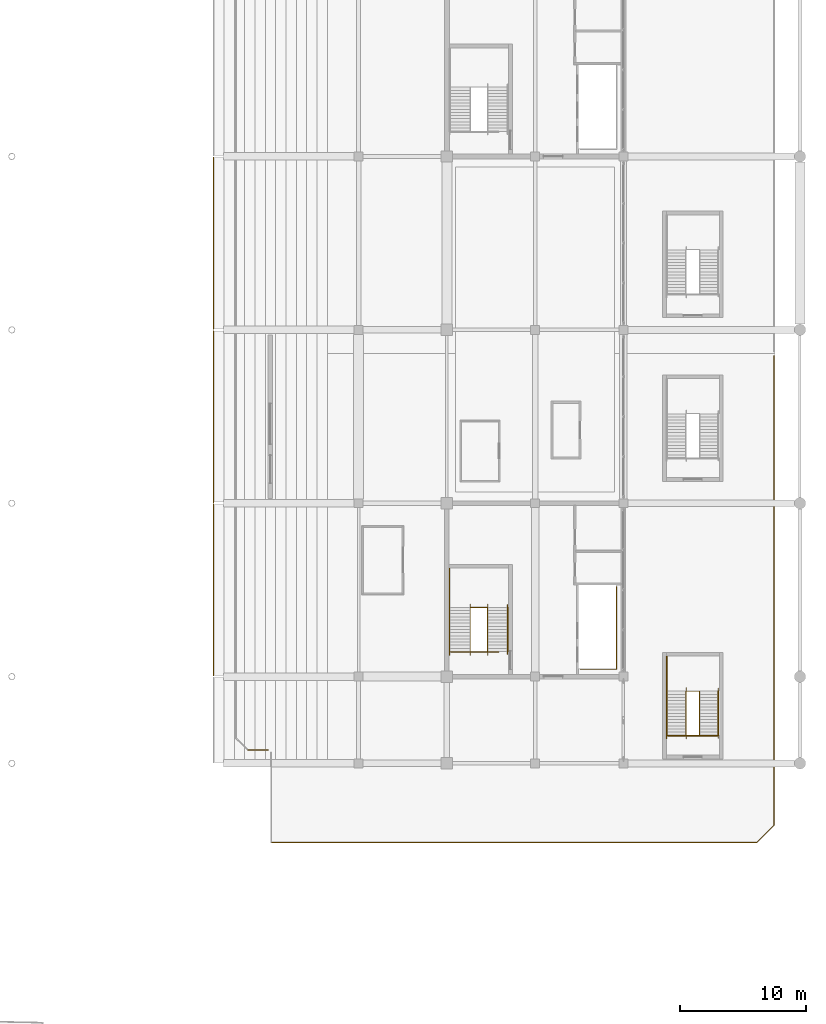
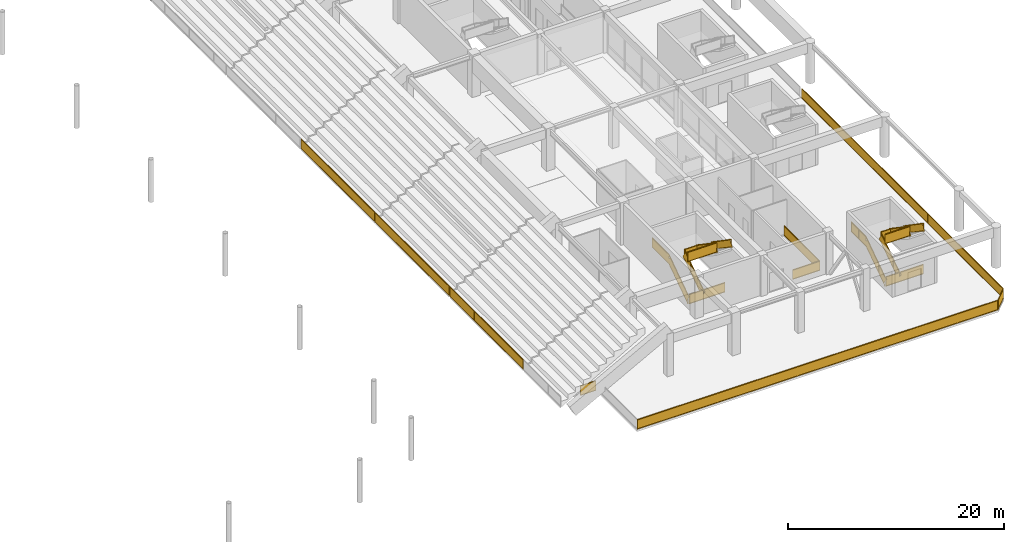
# One storey, part 86 of 94: 14 railings.
"""IFC4 building model written with IfcOpenShell, lengths in metres."""

import ifcopenshell
import ifcopenshell.guid

model = None  # the IFC model being written
_history = None  # IfcOwnerHistory: only IFC2X3 demands one
_inside = {}  # id of a spatial element -> (the spatial element, [elements in it])
_under = {}  # id of a project, library or spatial element -> (it, [spatial elements below it])
_declared = {}  # id of a project -> (the project, [libraries it declares])
_typed = {}  # id of a type object -> (the type object, [elements of that type])
_made_of = {}  # id of a material, layer set ... -> (it, [elements and type objects made of it])


def new_model(schema):
    """Start an empty IFC model of exactly this schema.

    Asked for "IFC4X3", IfcOpenShell would pick the latest addendum, in which some entities
    have other attributes; the version numbers below select the first issue.
    IFC2X3 requires an IfcOwnerHistory on every rooted entity: one is made here for all.
    """
    global model, _history
    if schema == "IFC4X3":
        model = ifcopenshell.file(schema_version=(4, 3, 0, 0))
    else:
        model = ifcopenshell.file(schema=schema)
    _inside.clear()
    _under.clear()
    _declared.clear()
    _typed.clear()
    _made_of.clear()
    _history = None
    if model.schema == "IFC2X3":
        org = make("IfcOrganization", Name="unknown")
        user = make(
            "IfcPersonAndOrganization",
            ThePerson=make("IfcPerson", FamilyName="unknown"),
            TheOrganization=org,
        )
        app = make(
            "IfcApplication",
            ApplicationDeveloper=org,
            Version="unknown",
            ApplicationFullName="unknown",
            ApplicationIdentifier="unknown",
        )
        _history = make(
            "IfcOwnerHistory",
            OwningUser=user,
            OwningApplication=app,
            ChangeAction="ADDED",
            CreationDate=0,
        )
    return model


def make(cls, **values):
    """One entity of the class cls with the attributes given. An attribute that is None is left unset."""
    return model.create_entity(
        cls, **{name: value for name, value in values.items() if value is not None}
    )


def rooted(cls, **values):
    """An entity with a GlobalId (a new one), such as an element, a storey or a relation."""
    return make(cls, GlobalId=ifcopenshell.guid.new(), OwnerHistory=_history, **values)


def si_unit(unit_type, name, prefix=None):
    """IfcSIUnit, for example si_unit("LENGTHUNIT", "METRE", prefix="MILLI")."""
    return make("IfcSIUnit", UnitType=unit_type, Prefix=prefix, Name=name)


def assignment(units):
    """IfcUnitAssignment: the units of a project."""
    return None if units is None else make("IfcUnitAssignment", Units=units)


def point(xyz):
    """IfcCartesianPoint."""
    return None if xyz is None else make("IfcCartesianPoint", Coordinates=xyz)


def direction(xyz):
    """IfcDirection."""
    return None if xyz is None else make("IfcDirection", DirectionRatios=xyz)


def frame(location, z_axis=None, x_axis=None):
    """IfcAxis2Placement3D, a coordinate frame: its origin and axes. An axis left out is left unset."""
    return make(
        "IfcAxis2Placement3D",
        Location=point(location),
        Axis=direction(z_axis),
        RefDirection=direction(x_axis),
    )


def frame_2d(location, x_axis=None):
    """IfcAxis2Placement2D, a coordinate frame in the plane: its origin and x axis."""
    return make(
        "IfcAxis2Placement2D", Location=point(location), RefDirection=direction(x_axis)
    )


def origin():
    """The frame at (0, 0, 0) with its axes left unset."""
    return frame((0.0, 0.0, 0.0))


def origin_2d():
    """The frame at (0, 0) in the plane with its x axis left unset."""
    return frame_2d((0.0, 0.0))


def place(relative_to, where):
    """IfcLocalPlacement: puts the frame where relative to a parent placement (None: the world)."""
    return make(
        "IfcLocalPlacement", PlacementRelTo=relative_to, RelativePlacement=where
    )


def context(
    kind, dimensions, precision=None, world=None, true_north=None, identifier=None
):
    """IfcGeometricRepresentationContext, for example the 3D "Model" context."""
    return make(
        "IfcGeometricRepresentationContext",
        ContextIdentifier=identifier,
        ContextType=kind,
        CoordinateSpaceDimension=dimensions,
        Precision=precision,
        WorldCoordinateSystem=world,
        TrueNorth=true_north,
    )


def subcontext(parent, identifier, kind, view, scale=None):
    """IfcGeometricRepresentationSubContext, for example "Body" below "Model"."""
    return make(
        "IfcGeometricRepresentationSubContext",
        ContextIdentifier=identifier,
        ContextType=kind,
        ParentContext=parent,
        TargetScale=scale,
        TargetView=view,
    )


def project(units=None, contexts=None):
    """IfcProject with its units and contexts."""
    return rooted(
        "IfcProject",
        Name="project",
        RepresentationContexts=contexts,
        UnitsInContext=assignment(units),
    )


def spatial(cls, under=None, at=None, **own):
    """A site, building, storey or space (cls), placed at a placement, below another one or the project."""
    s = rooted(cls, ObjectPlacement=at, **own)
    if under is not None:
        _under.setdefault(under.id(), (under, []))[1].append(s)
    return s


def profile(cls, at=None, kind="AREA", **sizes):
    """A parametric profile (cls). Its sizes go by their IFC names, for example OverallWidth=200.0."""
    return make(cls, ProfileType=kind, Position=at, **sizes)


def rectangle(**sizes):
    """IfcRectangleProfileDef."""
    return profile("IfcRectangleProfileDef", **sizes)


def extrude(swept, where, along, depth):
    """IfcExtrudedAreaSolid: the profile swept, set in the frame where, extruded along a direction by depth."""
    return make(
        "IfcExtrudedAreaSolid",
        SweptArea=swept,
        Position=where,
        ExtrudedDirection=direction(along),
        Depth=depth,
    )


def shape(context_of_items, identifier, shape_type, items):
    """IfcShapeRepresentation: the items that make up one representation, for example the "Body"."""
    return make(
        "IfcShapeRepresentation",
        ContextOfItems=context_of_items,
        RepresentationIdentifier=identifier,
        RepresentationType=shape_type,
        Items=items,
    )


def material(Name=None, Category=None):
    """IfcMaterial."""
    return make("IfcMaterial", Name=Name, Category=Category)


def made_of(thing, what):
    """Note that an element or type object is made of a material, layer set ...; save() writes the relation."""
    if what is not None:
        _made_of.setdefault(what.id(), (what, []))[1].append(thing)
    return thing


def type_object(cls, material=None, **own):
    """A type object (cls), such as IfcWallType, which elements share."""
    return made_of(rooted(cls, **own), material)


def element(
    cls,
    number,
    at=None,
    inside=None,
    cuts=None,
    type_object=None,
    material=None,
    context=None,
    identifier="Body",
    shape_type=None,
    held_by="IfcProductDefinitionShape",
    body=None,
    shapes=None,
    **own,
):
    """One element of the class cls, such as IfcWall. Its Tag is "e" and its number.

    at: its placement. inside: the storey or other place that contains it. cuts: it is an
    opening in that element (IfcRelVoidsElement). A single representation is given by context,
    identifier, shape_type and body (its items); several are given by shapes. held_by: the class
    of the entity that holds the representations. save() writes the other relations.
    """
    e = rooted(cls, Tag="e%d" % number, ObjectPlacement=at, **own)
    if body is not None:
        shapes = [shape(context, identifier, shape_type, body)]
    if shapes is not None:
        e.Representation = make(held_by, Representations=shapes)
    if inside is not None:
        _inside.setdefault(inside.id(), (inside, []))[1].append(e)
    if cuts is not None:
        rooted(
            "IfcRelVoidsElement", RelatingBuildingElement=cuts, RelatedOpeningElement=e
        )
    if type_object is not None:
        _typed.setdefault(type_object.id(), (type_object, []))[1].append(e)
    return made_of(e, material)


def aggregate(whole, parts):
    """IfcRelAggregates: a whole, such as a stair, and the parts it consists of."""
    return rooted("IfcRelAggregates", RelatingObject=whole, RelatedObjects=parts)


def save(model, path):
    """Write the relations noted so far, then the file.

    IfcRelAggregates (storeys below a building ...), IfcRelContainedInSpatialStructure (elements
    in a storey), IfcRelDefinesByType, IfcRelAssociatesMaterial and IfcRelDeclares: one each for
    every whole, place, type object, material and project.
    """
    for whole, parts in _under.values():
        aggregate(whole, parts)
    for where, things in _inside.values():
        rooted(
            "IfcRelContainedInSpatialStructure",
            RelatedElements=things,
            RelatingStructure=where,
        )
    for kind, things in _typed.values():
        rooted("IfcRelDefinesByType", RelatedObjects=things, RelatingType=kind)
    for what, things in _made_of.values():
        rooted("IfcRelAssociatesMaterial", RelatedObjects=things, RelatingMaterial=what)
    for by, libraries in _declared.values():
        rooted("IfcRelDeclares", RelatingContext=by, RelatedDefinitions=libraries)
    model.write(path)


model = new_model("IFC4")

# Units and contexts
model_context = context("Model", 3, precision=1e-05, world=origin(), true_north=direction((0.0, 1.0)))
body_context = subcontext(model_context, "Body", "Model", "MODEL_VIEW")
ifc_project = project(units=[si_unit("LENGTHUNIT", "METRE"), si_unit("AREAUNIT", "SQUARE_METRE"), si_unit("VOLUMEUNIT", "CUBIC_METRE"), si_unit("PLANEANGLEUNIT", "RADIAN"), si_unit("MASSUNIT", "GRAM", prefix="KILO")], contexts=[model_context])

# Site, building, storey
site_placement = place(None, origin())
site = spatial("IfcSite", under=ifc_project, at=site_placement, CompositionType="ELEMENT")
building_placement = place(site_placement, origin())
building = spatial("IfcBuilding", under=site, at=building_placement, Name="Linyun Crest Stadium", CompositionType="ELEMENT")
storey_placement = place(building_placement, frame((0.0, 0.0, 16.199951171875)))
storey = spatial("IfcBuildingStorey", under=building, at=storey_placement, Name="L04", CompositionType="ELEMENT", Elevation=16.199951171875)

# Railings
ifc_material_1 = material(Name="Verdigris painted steel botanical balustrade", Category="steel")
railing_type_1 = type_object("IfcRailingType", Name="GR01", PredefinedType="BALUSTRADE", material=ifc_material_1)
railing_1_placement = place(storey_placement, frame((55.820068359375, -44.93994140625, 0.0)))
element("IfcRailing", 1, at=railing_1_placement, inside=storey, type_object=railing_type_1, Name="Slab edge balustrade GR01 189", PredefinedType="BALUSTRADE", context=body_context, shape_type="SweptSolid", body=[
    extrude(rectangle(XDim=0.06005859375, YDim=0.06005859375, at=origin_2d()), frame((0.0, 0.0, 1.119873046875), z_axis=(-1.0, 0.0, 0.0), x_axis=(0.0, -1.0, 0.0)), (0.0, 0.0, 1.0), 1.594970703125),
    extrude(rectangle(XDim=0.030029296875, YDim=1.02978515625, at=origin_2d()), frame((0.0, 0.0, 0.574951171875), z_axis=(-1.0, 0.0, 0.0), x_axis=(0.0, -1.0, 0.0)), (0.0, 0.0, 1.0), 1.594970703125),
    extrude(rectangle(XDim=0.06005859375, YDim=0.06005859375, at=origin_2d()), frame((0.0, 0.0, 0.030029296875), z_axis=(-1.0, 0.0, 0.0), x_axis=(0.0, -1.0, 0.0)), (0.0, 0.0, 1.0), 1.594970703125),
    extrude(rectangle(XDim=0.050048828125, YDim=0.050048828125, at=origin_2d()), origin(), (0.0, 0.0, 1.0), 1.14990234375),
    extrude(rectangle(XDim=0.050048828125, YDim=0.050048828125, at=origin_2d()), frame((-1.594970703125, 0.0, 0.0)), (0.0, 0.0, 1.0), 1.14990234375),
])
ifc_material_2 = material(Name="Galvanized and powder-coated steel bowl safety barrier", Category="steel")
railing_type_2 = type_object("IfcRailingType", Name="GR02", PredefinedType="GUARDRAIL", material=ifc_material_2)
for number, where, name in (
    (2, (51.5, -39.044921875, 0.35009765625), "Bowl front safety guard GR02 15"),
    (3, (51.5, -25.294921875, 0.35009765625), "Bowl front safety guard GR02 23"),
    (4, (51.5, -11.544921875, 0.35009765625), "Bowl front safety guard GR02 31"),
):
    element("IfcRailing", number, at=place(storey_placement, frame(where)), inside=storey, type_object=railing_type_2, Name=name, PredefinedType="GUARDRAIL", context=body_context, shape_type="SweptSolid", body=[
        extrude(rectangle(XDim=0.06005859375, YDim=0.06005859375, at=origin_2d()), frame((0.0, 0.0, 1.090087890625), z_axis=(0.0, 1.0, 0.0), x_axis=(-1.0, 0.0, 0.0)), (0.0, 0.0, 1.0), 13.58984375),
        extrude(rectangle(XDim=0.030029296875, YDim=1.0, at=origin_2d()), frame((0.0, 0.0, 0.56005859375), z_axis=(0.0, 1.0, 0.0), x_axis=(-1.0, 0.0, 0.0)), (0.0, 0.0, 1.0), 13.58984375),
        extrude(rectangle(XDim=0.06005859375, YDim=0.06005859375, at=origin_2d()), frame((0.0, 0.0, 0.030029296875), z_axis=(0.0, 1.0, 0.0), x_axis=(-1.0, 0.0, 0.0)), (0.0, 0.0, 1.0), 13.58984375),
        extrude(rectangle(XDim=0.050048828125, YDim=0.050048828125, at=origin_2d()), origin(), (0.0, 0.0, 1.0), 1.1201171875),
        extrude(rectangle(XDim=0.050048828125, YDim=0.050048828125, at=origin_2d()), frame((0.0, 2.264892578125, 0.0)), (0.0, 0.0, 1.0), 1.1201171875),
        extrude(rectangle(XDim=0.050048828125, YDim=0.050048828125, at=origin_2d()), frame((0.0, 4.530029296875, 0.0)), (0.0, 0.0, 1.0), 1.1201171875),
        extrude(rectangle(XDim=0.050048828125, YDim=0.050048828125, at=origin_2d()), frame((0.0, 6.794921875, 0.0)), (0.0, 0.0, 1.0), 1.1201171875),
        extrude(rectangle(XDim=0.050048828125, YDim=0.050048828125, at=origin_2d()), frame((0.0, 9.059814453125, 0.0)), (0.0, 0.0, 1.0), 1.1201171875),
        extrude(rectangle(XDim=0.050048828125, YDim=0.050048828125, at=origin_2d()), frame((0.0, 11.324951171875, 0.0)), (0.0, 0.0, 1.0), 1.1201171875),
        extrude(rectangle(XDim=0.050048828125, YDim=0.050048828125, at=origin_2d()), frame((0.0, 13.58984375, 0.0)), (0.0, 0.0, 1.0), 1.1201171875),
    ])
railing_2_placement = place(storey_placement, frame((95.93994140625, -13.669921875, 0.0)))
element("IfcRailing", 5, at=railing_2_placement, inside=storey, type_object=railing_type_2, Name="Slab edge balustrade GR02 156", PredefinedType="GUARDRAIL", context=body_context, shape_type="SweptSolid", body=[
    extrude(rectangle(XDim=0.06005859375, YDim=0.06005859375, at=origin_2d()), frame((0.0, 0.0, 1.090087890625), z_axis=(0.0, -1.0, 0.0), x_axis=(1.0, 0.0, 0.0)), (0.0, 0.0, 1.0), 37.239990234375),
    extrude(rectangle(XDim=0.030029296875, YDim=1.0, at=origin_2d()), frame((0.0, 0.0, 0.56005859375), z_axis=(0.0, -1.0, 0.0), x_axis=(1.0, 0.0, 0.0)), (0.0, 0.0, 1.0), 37.239990234375),
    extrude(rectangle(XDim=0.06005859375, YDim=0.06005859375, at=origin_2d()), frame((0.0, 0.0, 0.030029296875), z_axis=(0.0, -1.0, 0.0), x_axis=(1.0, 0.0, 0.0)), (0.0, 0.0, 1.0), 37.239990234375),
    extrude(rectangle(XDim=0.06005859375, YDim=0.06005859375, at=origin_2d()), frame((0.0, -37.239990234375, 1.090087890625), z_axis=(-0.707106781187, -0.707106781187, 0.0), x_axis=(0.707106781187, -0.707106781187, 0.0)), (0.0, 0.0, 1.0), 1.930419921875),
    extrude(rectangle(XDim=0.030029296875, YDim=1.0, at=origin_2d()), frame((0.0, -37.239990234375, 0.56005859375), z_axis=(-0.707106781187, -0.707106781187, 0.0), x_axis=(0.707106781187, -0.707106781187, 0.0)), (0.0, 0.0, 1.0), 1.930419921875),
    extrude(rectangle(XDim=0.06005859375, YDim=0.06005859375, at=origin_2d()), frame((0.0, -37.239990234375, 0.030029296875), z_axis=(-0.707106781187, -0.707106781187, 0.0), x_axis=(0.707106781187, -0.707106781187, 0.0)), (0.0, 0.0, 1.0), 1.930419921875),
    extrude(rectangle(XDim=0.06005859375, YDim=0.06005859375, at=origin_2d()), frame((-1.364990234375, -38.60498046875, 1.090087890625), z_axis=(-1.0, 0.0, 0.0), x_axis=(0.0, -1.0, 0.0)), (0.0, 0.0, 1.0), 38.514892578125),
    extrude(rectangle(XDim=0.030029296875, YDim=1.0, at=origin_2d()), frame((-1.364990234375, -38.60498046875, 0.56005859375), z_axis=(-1.0, 0.0, 0.0), x_axis=(0.0, -1.0, 0.0)), (0.0, 0.0, 1.0), 38.514892578125),
    extrude(rectangle(XDim=0.06005859375, YDim=0.06005859375, at=origin_2d()), frame((-1.364990234375, -38.60498046875, 0.030029296875), z_axis=(-1.0, 0.0, 0.0), x_axis=(0.0, -1.0, 0.0)), (0.0, 0.0, 1.0), 38.514892578125),
    extrude(rectangle(XDim=0.050048828125, YDim=0.050048828125, at=origin_2d()), origin(), (0.0, 0.0, 1.0), 1.1201171875),
    extrude(rectangle(XDim=0.050048828125, YDim=0.050048828125, at=origin_2d()), frame((0.0, -4.655029296875, 0.0)), (0.0, 0.0, 1.0), 1.1201171875),
    extrude(rectangle(XDim=0.050048828125, YDim=0.050048828125, at=origin_2d()), frame((0.0, -9.31005859375, 0.0)), (0.0, 0.0, 1.0), 1.1201171875),
    extrude(rectangle(XDim=0.050048828125, YDim=0.050048828125, at=origin_2d()), frame((0.0, -13.965087890625, 0.0)), (0.0, 0.0, 1.0), 1.1201171875),
    extrude(rectangle(XDim=0.050048828125, YDim=0.050048828125, at=origin_2d()), frame((0.0, -18.6201171875, 0.0)), (0.0, 0.0, 1.0), 1.1201171875),
    extrude(rectangle(XDim=0.050048828125, YDim=0.050048828125, at=origin_2d()), frame((0.0, -23.27490234375, 0.0)), (0.0, 0.0, 1.0), 1.1201171875),
    extrude(rectangle(XDim=0.050048828125, YDim=0.050048828125, at=origin_2d()), frame((0.0, -27.929931640625, 0.0)), (0.0, 0.0, 1.0), 1.1201171875),
    extrude(rectangle(XDim=0.050048828125, YDim=0.050048828125, at=origin_2d()), frame((0.0, -32.5849609375, 0.0)), (0.0, 0.0, 1.0), 1.1201171875),
    extrude(rectangle(XDim=0.050048828125, YDim=0.050048828125, at=origin_2d()), frame((0.0, -37.239990234375, 0.0)), (0.0, 0.0, 1.0), 1.1201171875),
    extrude(rectangle(XDim=0.050048828125, YDim=0.050048828125, at=origin_2d()), frame((-1.364990234375, -38.60498046875, 0.0)), (0.0, 0.0, 1.0), 1.1201171875),
    extrude(rectangle(XDim=0.050048828125, YDim=0.050048828125, at=origin_2d()), frame((-5.64453125, -38.60498046875, 0.0)), (0.0, 0.0, 1.0), 1.1201171875),
    extrude(rectangle(XDim=0.050048828125, YDim=0.050048828125, at=origin_2d()), frame((-9.923828125, -38.60498046875, 0.0)), (0.0, 0.0, 1.0), 1.1201171875),
    extrude(rectangle(XDim=0.050048828125, YDim=0.050048828125, at=origin_2d()), frame((-14.203369140625, -38.60498046875, 0.0)), (0.0, 0.0, 1.0), 1.1201171875),
    extrude(rectangle(XDim=0.050048828125, YDim=0.050048828125, at=origin_2d()), frame((-18.482666015625, -38.60498046875, 0.0)), (0.0, 0.0, 1.0), 1.1201171875),
    extrude(rectangle(XDim=0.050048828125, YDim=0.050048828125, at=origin_2d()), frame((-22.76220703125, -38.60498046875, 0.0)), (0.0, 0.0, 1.0), 1.1201171875),
    extrude(rectangle(XDim=0.050048828125, YDim=0.050048828125, at=origin_2d()), frame((-27.04150390625, -38.60498046875, 0.0)), (0.0, 0.0, 1.0), 1.1201171875),
    extrude(rectangle(XDim=0.050048828125, YDim=0.050048828125, at=origin_2d()), frame((-31.321044921875, -38.60498046875, 0.0)), (0.0, 0.0, 1.0), 1.1201171875),
    extrude(rectangle(XDim=0.050048828125, YDim=0.050048828125, at=origin_2d()), frame((-35.600341796875, -38.60498046875, 0.0)), (0.0, 0.0, 1.0), 1.1201171875),
    extrude(rectangle(XDim=0.050048828125, YDim=0.050048828125, at=origin_2d()), frame((-39.8798828125, -38.60498046875, 0.0)), (0.0, 0.0, 1.0), 1.1201171875),
])
railing_3_placement = place(storey_placement, frame((87.5400390625, -43.81005859375, 0.0)))
element("IfcRailing", 6, at=railing_3_placement, inside=storey, type_object=railing_type_2, Name="Slab edge balustrade GR02 157", PredefinedType="GUARDRAIL", context=body_context, shape_type="SweptSolid", body=[
    extrude(rectangle(XDim=0.06005859375, YDim=0.06005859375, at=origin_2d()), frame((0.0, 0.0, 1.090087890625), z_axis=(1.0, 0.0, 0.0), x_axis=(0.0, 1.0, 0.0)), (0.0, 0.0, 1.0), 3.919921875),
    extrude(rectangle(XDim=0.030029296875, YDim=1.0, at=origin_2d()), frame((0.0, 0.0, 0.56005859375), z_axis=(1.0, 0.0, 0.0), x_axis=(0.0, 1.0, 0.0)), (0.0, 0.0, 1.0), 3.919921875),
    extrude(rectangle(XDim=0.06005859375, YDim=0.06005859375, at=origin_2d()), frame((0.0, 0.0, 0.030029296875), z_axis=(1.0, 0.0, 0.0), x_axis=(0.0, 1.0, 0.0)), (0.0, 0.0, 1.0), 3.919921875),
    extrude(rectangle(XDim=0.050048828125, YDim=0.050048828125, at=origin_2d()), origin(), (0.0, 0.0, 1.0), 1.1201171875),
    extrude(rectangle(XDim=0.050048828125, YDim=0.050048828125, at=origin_2d()), frame((3.919921875, 0.0, 0.0)), (0.0, 0.0, 1.0), 1.1201171875),
])
railing_4_placement = place(storey_placement, frame((80.580078125, -38.534912109375, 0.0)))
element("IfcRailing", 7, at=railing_4_placement, inside=storey, type_object=railing_type_2, Name="Slab edge balustrade GR02 159", PredefinedType="GUARDRAIL", context=body_context, shape_type="SweptSolid", body=[
    extrude(rectangle(XDim=0.06005859375, YDim=0.06005859375, at=origin_2d()), frame((0.0, 0.0, 1.090087890625), z_axis=(1.0, 0.0, 0.0), x_axis=(0.0, 1.0, 0.0)), (0.0, 0.0, 1.0), 2.8798828125),
    extrude(rectangle(XDim=0.030029296875, YDim=1.0, at=origin_2d()), frame((0.0, 0.0, 0.56005859375), z_axis=(1.0, 0.0, 0.0), x_axis=(0.0, 1.0, 0.0)), (0.0, 0.0, 1.0), 2.8798828125),
    extrude(rectangle(XDim=0.06005859375, YDim=0.06005859375, at=origin_2d()), frame((0.0, 0.0, 0.030029296875), z_axis=(1.0, 0.0, 0.0), x_axis=(0.0, 1.0, 0.0)), (0.0, 0.0, 1.0), 2.8798828125),
    extrude(rectangle(XDim=0.06005859375, YDim=0.06005859375, at=origin_2d()), frame((2.8798828125, 0.0, 1.090087890625), z_axis=(0.0, 1.0, 0.0), x_axis=(-1.0, 0.0, 0.0)), (0.0, 0.0, 1.0), 6.5498046875),
    extrude(rectangle(XDim=0.030029296875, YDim=1.0, at=origin_2d()), frame((2.8798828125, 0.0, 0.56005859375), z_axis=(0.0, 1.0, 0.0), x_axis=(-1.0, 0.0, 0.0)), (0.0, 0.0, 1.0), 6.5498046875),
    extrude(rectangle(XDim=0.06005859375, YDim=0.06005859375, at=origin_2d()), frame((2.8798828125, 0.0, 0.030029296875), z_axis=(0.0, 1.0, 0.0), x_axis=(-1.0, 0.0, 0.0)), (0.0, 0.0, 1.0), 6.5498046875),
    extrude(rectangle(XDim=0.050048828125, YDim=0.050048828125, at=origin_2d()), origin(), (0.0, 0.0, 1.0), 1.1201171875),
    extrude(rectangle(XDim=0.050048828125, YDim=0.050048828125, at=origin_2d()), frame((2.8798828125, 0.0, 0.0)), (0.0, 0.0, 1.0), 1.1201171875),
    extrude(rectangle(XDim=0.050048828125, YDim=0.050048828125, at=origin_2d()), frame((2.8798828125, 3.27490234375, 0.0)), (0.0, 0.0, 1.0), 1.1201171875),
    extrude(rectangle(XDim=0.050048828125, YDim=0.050048828125, at=origin_2d()), frame((2.8798828125, 6.5498046875, 0.0)), (0.0, 0.0, 1.0), 1.1201171875),
])
railing_5_placement = place(storey_placement, frame((70.31494140625, -37.1650390625, 0.0)))
element("IfcRailing", 8, at=railing_5_placement, inside=storey, type_object=railing_type_2, Name="Slab edge balustrade GR02 160", PredefinedType="GUARDRAIL", context=body_context, shape_type="SweptSolid", body=[
    extrude(rectangle(XDim=0.06005859375, YDim=0.06005859375, at=origin_2d()), frame((0.0, 0.0, 1.090087890625), z_axis=(1.0, 0.0, 0.0), x_axis=(0.0, 1.0, 0.0)), (0.0, 0.0, 1.0), 3.78515625),
    extrude(rectangle(XDim=0.030029296875, YDim=1.0, at=origin_2d()), frame((0.0, 0.0, 0.56005859375), z_axis=(1.0, 0.0, 0.0), x_axis=(0.0, 1.0, 0.0)), (0.0, 0.0, 1.0), 3.78515625),
    extrude(rectangle(XDim=0.06005859375, YDim=0.06005859375, at=origin_2d()), frame((0.0, 0.0, 0.030029296875), z_axis=(1.0, 0.0, 0.0), x_axis=(0.0, 1.0, 0.0)), (0.0, 0.0, 1.0), 3.78515625),
    extrude(rectangle(XDim=0.050048828125, YDim=0.050048828125, at=origin_2d()), origin(), (0.0, 0.0, 1.0), 1.1201171875),
    extrude(rectangle(XDim=0.050048828125, YDim=0.050048828125, at=origin_2d()), frame((3.78515625, 0.0, 0.0)), (0.0, 0.0, 1.0), 1.1201171875),
])
ifc_material_3 = material(Name="Painted steel stairwell safety guard", Category="steel")
railing_type_3 = type_object("IfcRailingType", Name="GR03", PredefinedType="GUARDRAIL", material=ifc_material_3)
railing_6_placement = place(storey_placement, frame((70.205078125, -37.135009765625, 0.0)))
element("IfcRailing", 9, at=railing_6_placement, inside=storey, type_object=railing_type_3, Name="STR-04-L04 outer guard", PredefinedType="GUARDRAIL", context=body_context, shape_type="SweptSolid", body=[
    extrude(rectangle(XDim=0.06005859375, YDim=0.06005859375, at=origin_2d()), frame((0.0, 0.0, 1.090087890625), z_axis=(0.0, 0.824712752785, 0.565551832633), x_axis=(-1.0, 0.0, 0.0)), (0.0, 0.0, 1.0), 4.243896484375),
    extrude(rectangle(XDim=0.030029296875, YDim=1.0, at=origin_2d()), frame((0.0, 0.0, 0.56005859375), z_axis=(0.0, 0.824712752785, 0.565551832633), x_axis=(-1.0, 0.0, 0.0)), (0.0, 0.0, 1.0), 4.243896484375),
    extrude(rectangle(XDim=0.06005859375, YDim=0.06005859375, at=origin_2d()), frame((0.0, 0.0, 0.030029296875), z_axis=(0.0, 0.824712752785, 0.565551832633), x_axis=(-1.0, 0.0, 0.0)), (0.0, 0.0, 1.0), 4.243896484375),
    extrude(rectangle(XDim=0.06005859375, YDim=0.06005859375, at=origin_2d()), frame((0.0, 3.5, 3.490234375), z_axis=(0.0, 1.0, 0.0), x_axis=(-1.0, 0.0, 0.0)), (0.0, 0.0, 1.0), 3.080078125),
    extrude(rectangle(XDim=0.030029296875, YDim=1.0, at=origin_2d()), frame((0.0, 3.5, 2.960205078125), z_axis=(0.0, 1.0, 0.0), x_axis=(-1.0, 0.0, 0.0)), (0.0, 0.0, 1.0), 3.080078125),
    extrude(rectangle(XDim=0.06005859375, YDim=0.06005859375, at=origin_2d()), frame((0.0, 3.5, 2.43017578125), z_axis=(0.0, 1.0, 0.0), x_axis=(-1.0, 0.0, 0.0)), (0.0, 0.0, 1.0), 3.080078125),
    extrude(rectangle(XDim=0.050048828125, YDim=0.050048828125, at=origin_2d()), origin(), (0.0, 0.0, 1.0), 1.1201171875),
    extrude(rectangle(XDim=0.050048828125, YDim=0.050048828125, at=origin_2d()), frame((0.0, 1.166748046875, 0.800048828125)), (0.0, 0.0, 1.0), 1.1201171875),
    extrude(rectangle(XDim=0.050048828125, YDim=0.050048828125, at=origin_2d()), frame((0.0, 2.333251953125, 1.60009765625)), (0.0, 0.0, 1.0), 1.1201171875),
    extrude(rectangle(XDim=0.050048828125, YDim=0.050048828125, at=origin_2d()), frame((0.0, 3.5, 2.400146484375)), (0.0, 0.0, 1.0), 1.1201171875),
    extrude(rectangle(XDim=0.050048828125, YDim=0.050048828125, at=origin_2d()), frame((0.0, 5.0400390625, 2.400146484375)), (0.0, 0.0, 1.0), 1.1201171875),
    extrude(rectangle(XDim=0.050048828125, YDim=0.050048828125, at=origin_2d()), frame((0.0, 6.580078125, 2.400146484375)), (0.0, 0.0, 1.0), 1.1201171875),
])
railing_7_placement = place(storey_placement, frame((71.844970703125, -37.155029296875, 0.0)))
element("IfcRailing", 10, at=railing_7_placement, inside=storey, type_object=railing_type_3, Name="STR-04-L04 inner well guard", PredefinedType="GUARDRAIL", context=body_context, shape_type="SweptSolid", body=[
    extrude(rectangle(XDim=0.06005859375, YDim=0.06005859375, at=origin_2d()), frame((0.0, 0.0, 1.090087890625), z_axis=(0.0, 0.826212794201, 0.563358162005), x_axis=(-1.0, 0.0, 0.0)), (0.0, 0.0, 1.0), 4.260498046875),
    extrude(rectangle(XDim=0.030029296875, YDim=1.0, at=origin_2d()), frame((0.0, 0.0, 0.56005859375), z_axis=(0.0, 0.826212794201, 0.563358162005), x_axis=(-1.0, 0.0, 0.0)), (0.0, 0.0, 1.0), 4.260498046875),
    extrude(rectangle(XDim=0.06005859375, YDim=0.06005859375, at=origin_2d()), frame((0.0, 0.0, 0.030029296875), z_axis=(0.0, 0.826212794201, 0.563358162005), x_axis=(-1.0, 0.0, 0.0)), (0.0, 0.0, 1.0), 4.260498046875),
    extrude(rectangle(XDim=0.06005859375, YDim=0.06005859375, at=origin_2d()), frame((0.0, 3.52001953125, 3.490234375), z_axis=(1.0, 0.0, 0.0), x_axis=(0.0, 1.0, 0.0)), (0.0, 0.0, 1.0), 1.385009765625),
    extrude(rectangle(XDim=0.030029296875, YDim=1.0, at=origin_2d()), frame((0.0, 3.52001953125, 2.960205078125), z_axis=(1.0, 0.0, 0.0), x_axis=(0.0, 1.0, 0.0)), (0.0, 0.0, 1.0), 1.385009765625),
    extrude(rectangle(XDim=0.06005859375, YDim=0.06005859375, at=origin_2d()), frame((0.0, 3.52001953125, 2.43017578125), z_axis=(1.0, 0.0, 0.0), x_axis=(0.0, 1.0, 0.0)), (0.0, 0.0, 1.0), 1.385009765625),
    extrude(rectangle(XDim=0.06005859375, YDim=0.06005859375, at=origin_2d()), frame((1.385009765625, 3.52001953125, 3.490234375), z_axis=(0.0, -0.826239466617, 0.563319042644), x_axis=(1.0, 0.0, 0.0)), (0.0, 0.0, 1.0), 4.26025390625),
    extrude(rectangle(XDim=0.030029296875, YDim=1.0, at=origin_2d()), frame((1.385009765625, 3.52001953125, 2.960205078125), z_axis=(0.0, -0.826239466617, 0.563319042644), x_axis=(1.0, 0.0, 0.0)), (0.0, 0.0, 1.0), 4.26025390625),
    extrude(rectangle(XDim=0.06005859375, YDim=0.06005859375, at=origin_2d()), frame((1.385009765625, 3.52001953125, 2.43017578125), z_axis=(0.0, -0.826239466617, 0.563319042644), x_axis=(1.0, 0.0, 0.0)), (0.0, 0.0, 1.0), 4.26025390625),
    extrude(rectangle(XDim=0.06005859375, YDim=0.06005859375, at=origin_2d()), frame((1.385009765625, 0.0, 5.89013671875), z_axis=(-1.0, 0.0, 0.0), x_axis=(0.0, -1.0, 0.0)), (0.0, 0.0, 1.0), 3.034912109375),
    extrude(rectangle(XDim=0.030029296875, YDim=1.0, at=origin_2d()), frame((1.385009765625, 0.0, 5.360107421875), z_axis=(-1.0, 0.0, 0.0), x_axis=(0.0, -1.0, 0.0)), (0.0, 0.0, 1.0), 3.034912109375),
    extrude(rectangle(XDim=0.06005859375, YDim=0.06005859375, at=origin_2d()), frame((1.385009765625, 0.0, 4.830078125), z_axis=(-1.0, 0.0, 0.0), x_axis=(0.0, -1.0, 0.0)), (0.0, 0.0, 1.0), 3.034912109375),
    extrude(rectangle(XDim=0.050048828125, YDim=0.050048828125, at=origin_2d()), origin(), (0.0, 0.0, 1.0), 1.1201171875),
    extrude(rectangle(XDim=0.050048828125, YDim=0.050048828125, at=origin_2d()), frame((0.0, 1.17333984375, 0.800048828125)), (0.0, 0.0, 1.0), 1.1201171875),
    extrude(rectangle(XDim=0.050048828125, YDim=0.050048828125, at=origin_2d()), frame((0.0, 2.3466796875, 1.60009765625)), (0.0, 0.0, 1.0), 1.1201171875),
    extrude(rectangle(XDim=0.050048828125, YDim=0.050048828125, at=origin_2d()), frame((0.0, 3.52001953125, 2.400146484375)), (0.0, 0.0, 1.0), 1.1201171875),
    extrude(rectangle(XDim=0.050048828125, YDim=0.050048828125, at=origin_2d()), frame((1.385009765625, 3.52001953125, 2.400146484375)), (0.0, 0.0, 1.0), 1.1201171875),
    extrude(rectangle(XDim=0.050048828125, YDim=0.050048828125, at=origin_2d()), frame((1.385009765625, 2.3466796875, 3.2001953125)), (0.0, 0.0, 1.0), 1.1201171875),
    extrude(rectangle(XDim=0.050048828125, YDim=0.050048828125, at=origin_2d()), frame((1.385009765625, 1.17333984375, 4.0)), (0.0, 0.0, 1.0), 1.1201171875),
    extrude(rectangle(XDim=0.050048828125, YDim=0.050048828125, at=origin_2d()), frame((1.385009765625, 0.0, 4.800048828125)), (0.0, 0.0, 1.0), 1.1201171875),
    extrude(rectangle(XDim=0.050048828125, YDim=0.050048828125, at=origin_2d()), frame((-0.13232421875, 0.0, 4.800048828125)), (0.0, 0.0, 1.0), 1.1201171875),
    extrude(rectangle(XDim=0.050048828125, YDim=0.050048828125, at=origin_2d()), frame((-1.64990234375, 0.0, 4.800048828125)), (0.0, 0.0, 1.0), 1.1201171875),
])
railing_8_placement = place(storey_placement, frame((87.429931640625, -43.780029296875, 0.0)))
element("IfcRailing", 11, at=railing_8_placement, inside=storey, type_object=railing_type_3, Name="STR-18-L04 outer guard", PredefinedType="GUARDRAIL", context=body_context, shape_type="SweptSolid", body=[
    extrude(rectangle(XDim=0.06005859375, YDim=0.06005859375, at=origin_2d()), frame((0.0, 0.0, 1.090087890625), z_axis=(0.0, 0.824712752785, 0.565551832633), x_axis=(-1.0, 0.0, 0.0)), (0.0, 0.0, 1.0), 4.243896484375),
    extrude(rectangle(XDim=0.030029296875, YDim=1.0, at=origin_2d()), frame((0.0, 0.0, 0.56005859375), z_axis=(0.0, 0.824712752785, 0.565551832633), x_axis=(-1.0, 0.0, 0.0)), (0.0, 0.0, 1.0), 4.243896484375),
    extrude(rectangle(XDim=0.06005859375, YDim=0.06005859375, at=origin_2d()), frame((0.0, 0.0, 0.030029296875), z_axis=(0.0, 0.824712752785, 0.565551832633), x_axis=(-1.0, 0.0, 0.0)), (0.0, 0.0, 1.0), 4.243896484375),
    extrude(rectangle(XDim=0.06005859375, YDim=0.06005859375, at=origin_2d()), frame((0.0, 3.5, 3.490234375), z_axis=(0.0, 1.0, 0.0), x_axis=(-1.0, 0.0, 0.0)), (0.0, 0.0, 1.0), 2.75),
    extrude(rectangle(XDim=0.030029296875, YDim=1.0, at=origin_2d()), frame((0.0, 3.5, 2.960205078125), z_axis=(0.0, 1.0, 0.0), x_axis=(-1.0, 0.0, 0.0)), (0.0, 0.0, 1.0), 2.75),
    extrude(rectangle(XDim=0.06005859375, YDim=0.06005859375, at=origin_2d()), frame((0.0, 3.5, 2.43017578125), z_axis=(0.0, 1.0, 0.0), x_axis=(-1.0, 0.0, 0.0)), (0.0, 0.0, 1.0), 2.75),
    extrude(rectangle(XDim=0.050048828125, YDim=0.050048828125, at=origin_2d()), origin(), (0.0, 0.0, 1.0), 1.1201171875),
    extrude(rectangle(XDim=0.050048828125, YDim=0.050048828125, at=origin_2d()), frame((0.0, 1.166748046875, 0.800048828125)), (0.0, 0.0, 1.0), 1.1201171875),
    extrude(rectangle(XDim=0.050048828125, YDim=0.050048828125, at=origin_2d()), frame((0.0, 2.333251953125, 1.60009765625)), (0.0, 0.0, 1.0), 1.1201171875),
    extrude(rectangle(XDim=0.050048828125, YDim=0.050048828125, at=origin_2d()), frame((0.0, 3.5, 2.400146484375)), (0.0, 0.0, 1.0), 1.1201171875),
    extrude(rectangle(XDim=0.050048828125, YDim=0.050048828125, at=origin_2d()), frame((0.0, 4.875, 2.400146484375)), (0.0, 0.0, 1.0), 1.1201171875),
    extrude(rectangle(XDim=0.050048828125, YDim=0.050048828125, at=origin_2d()), frame((0.0, 6.25, 2.400146484375)), (0.0, 0.0, 1.0), 1.1201171875),
])
railing_9_placement = place(storey_placement, frame((88.969970703125, -43.800048828125, 0.0)))
element("IfcRailing", 12, at=railing_9_placement, inside=storey, type_object=railing_type_3, Name="STR-18-L04 inner well guard", PredefinedType="GUARDRAIL", context=body_context, shape_type="SweptSolid", body=[
    extrude(rectangle(XDim=0.06005859375, YDim=0.06005859375, at=origin_2d()), frame((0.0, 0.0, 1.090087890625), z_axis=(0.0, 0.826212794201, 0.563358162005), x_axis=(-1.0, 0.0, 0.0)), (0.0, 0.0, 1.0), 4.260498046875),
    extrude(rectangle(XDim=0.030029296875, YDim=1.0, at=origin_2d()), frame((0.0, 0.0, 0.56005859375), z_axis=(0.0, 0.826212794201, 0.563358162005), x_axis=(-1.0, 0.0, 0.0)), (0.0, 0.0, 1.0), 4.260498046875),
    extrude(rectangle(XDim=0.06005859375, YDim=0.06005859375, at=origin_2d()), frame((0.0, 0.0, 0.030029296875), z_axis=(0.0, 0.826212794201, 0.563358162005), x_axis=(-1.0, 0.0, 0.0)), (0.0, 0.0, 1.0), 4.260498046875),
    extrude(rectangle(XDim=0.06005859375, YDim=0.06005859375, at=origin_2d()), frame((0.0, 3.52001953125, 3.490234375), z_axis=(1.0, 0.0, 0.0), x_axis=(0.0, 1.0, 0.0)), (0.0, 0.0, 1.0), 1.06005859375),
    extrude(rectangle(XDim=0.030029296875, YDim=1.0, at=origin_2d()), frame((0.0, 3.52001953125, 2.960205078125), z_axis=(1.0, 0.0, 0.0), x_axis=(0.0, 1.0, 0.0)), (0.0, 0.0, 1.0), 1.06005859375),
    extrude(rectangle(XDim=0.06005859375, YDim=0.06005859375, at=origin_2d()), frame((0.0, 3.52001953125, 2.43017578125), z_axis=(1.0, 0.0, 0.0), x_axis=(0.0, 1.0, 0.0)), (0.0, 0.0, 1.0), 1.06005859375),
    extrude(rectangle(XDim=0.06005859375, YDim=0.06005859375, at=origin_2d()), frame((1.06005859375, 3.52001953125, 3.490234375), z_axis=(0.0, -0.826239466617, 0.563319042644), x_axis=(1.0, 0.0, 0.0)), (0.0, 0.0, 1.0), 4.26025390625),
    extrude(rectangle(XDim=0.030029296875, YDim=1.0, at=origin_2d()), frame((1.06005859375, 3.52001953125, 2.960205078125), z_axis=(0.0, -0.826239466617, 0.563319042644), x_axis=(1.0, 0.0, 0.0)), (0.0, 0.0, 1.0), 4.26025390625),
    extrude(rectangle(XDim=0.06005859375, YDim=0.06005859375, at=origin_2d()), frame((1.06005859375, 3.52001953125, 2.43017578125), z_axis=(0.0, -0.826239466617, 0.563319042644), x_axis=(1.0, 0.0, 0.0)), (0.0, 0.0, 1.0), 4.26025390625),
    extrude(rectangle(XDim=0.06005859375, YDim=0.06005859375, at=origin_2d()), frame((1.06005859375, 0.0, 5.89013671875), z_axis=(-1.0, 0.0, 0.0), x_axis=(0.0, -1.0, 0.0)), (0.0, 0.0, 1.0), 2.610107421875),
    extrude(rectangle(XDim=0.030029296875, YDim=1.0, at=origin_2d()), frame((1.06005859375, 0.0, 5.360107421875), z_axis=(-1.0, 0.0, 0.0), x_axis=(0.0, -1.0, 0.0)), (0.0, 0.0, 1.0), 2.610107421875),
    extrude(rectangle(XDim=0.06005859375, YDim=0.06005859375, at=origin_2d()), frame((1.06005859375, 0.0, 4.830078125), z_axis=(-1.0, 0.0, 0.0), x_axis=(0.0, -1.0, 0.0)), (0.0, 0.0, 1.0), 2.610107421875),
    extrude(rectangle(XDim=0.050048828125, YDim=0.050048828125, at=origin_2d()), origin(), (0.0, 0.0, 1.0), 1.1201171875),
    extrude(rectangle(XDim=0.050048828125, YDim=0.050048828125, at=origin_2d()), frame((0.0, 1.17333984375, 0.800048828125)), (0.0, 0.0, 1.0), 1.1201171875),
    extrude(rectangle(XDim=0.050048828125, YDim=0.050048828125, at=origin_2d()), frame((0.0, 2.3466796875, 1.60009765625)), (0.0, 0.0, 1.0), 1.1201171875),
    extrude(rectangle(XDim=0.050048828125, YDim=0.050048828125, at=origin_2d()), frame((0.0, 3.52001953125, 2.400146484375)), (0.0, 0.0, 1.0), 1.1201171875),
    extrude(rectangle(XDim=0.050048828125, YDim=0.050048828125, at=origin_2d()), frame((1.06005859375, 3.52001953125, 2.400146484375)), (0.0, 0.0, 1.0), 1.1201171875),
    extrude(rectangle(XDim=0.050048828125, YDim=0.050048828125, at=origin_2d()), frame((1.06005859375, 2.3466796875, 3.2001953125)), (0.0, 0.0, 1.0), 1.1201171875),
    extrude(rectangle(XDim=0.050048828125, YDim=0.050048828125, at=origin_2d()), frame((1.06005859375, 1.17333984375, 4.0)), (0.0, 0.0, 1.0), 1.1201171875),
    extrude(rectangle(XDim=0.050048828125, YDim=0.050048828125, at=origin_2d()), frame((1.06005859375, 0.0, 4.800048828125)), (0.0, 0.0, 1.0), 1.1201171875),
    extrude(rectangle(XDim=0.050048828125, YDim=0.050048828125, at=origin_2d()), frame((-0.2451171875, 0.0, 4.800048828125)), (0.0, 0.0, 1.0), 1.1201171875),
    extrude(rectangle(XDim=0.050048828125, YDim=0.050048828125, at=origin_2d()), frame((-1.550048828125, 0.0, 4.800048828125)), (0.0, 0.0, 1.0), 1.1201171875),
])
ifc_material_4 = material(Name="Brushed stainless steel tubular handrail", Category="steel")
railing_type_4 = type_object("IfcRailingType", Name="HR01", PredefinedType="HANDRAIL", material=ifc_material_4)
for number, where, name in (
    (13, (74.820068359375, -33.635009765625, 2.400146484375), "STR-04-L04 handrail"),
    (14, (91.52001953125, -40.280029296875, 2.400146484375), "STR-18-L04 handrail"),
):
    element("IfcRailing", number, at=place(storey_placement, frame(where)), inside=storey, type_object=railing_type_4, Name=name, PredefinedType="HANDRAIL", context=body_context, shape_type="SweptSolid", body=[
        extrude(rectangle(XDim=0.06005859375, YDim=0.06005859375, at=origin_2d()), frame((0.0, 0.0, 0.889892578125), z_axis=(0.0, -0.824739584531, 0.5655127034), x_axis=(1.0, 0.0, 0.0)), (0.0, 0.0, 1.0), 4.24365234375),
        extrude(rectangle(XDim=0.030029296875, YDim=0.7998046875, at=origin_2d()), frame((0.0, 0.0, 0.4599609375), z_axis=(0.0, -0.824739584531, 0.5655127034), x_axis=(1.0, 0.0, 0.0)), (0.0, 0.0, 1.0), 4.24365234375),
        extrude(rectangle(XDim=0.06005859375, YDim=0.06005859375, at=origin_2d()), frame((0.0, 0.0, 0.030029296875), z_axis=(0.0, -0.824739584531, 0.5655127034), x_axis=(1.0, 0.0, 0.0)), (0.0, 0.0, 1.0), 4.24365234375),
        extrude(rectangle(XDim=0.050048828125, YDim=0.050048828125, at=origin_2d()), origin(), (0.0, 0.0, 1.0), 0.919921875),
        extrude(rectangle(XDim=0.050048828125, YDim=0.050048828125, at=origin_2d()), frame((0.0, -1.75, 1.199951171875)), (0.0, 0.0, 1.0), 0.919921875),
        extrude(rectangle(XDim=0.050048828125, YDim=0.050048828125, at=origin_2d()), frame((0.0, -3.5, 2.39990234375)), (0.0, 0.0, 1.0), 0.919921875),
    ])

save(model, "model.ifc")
